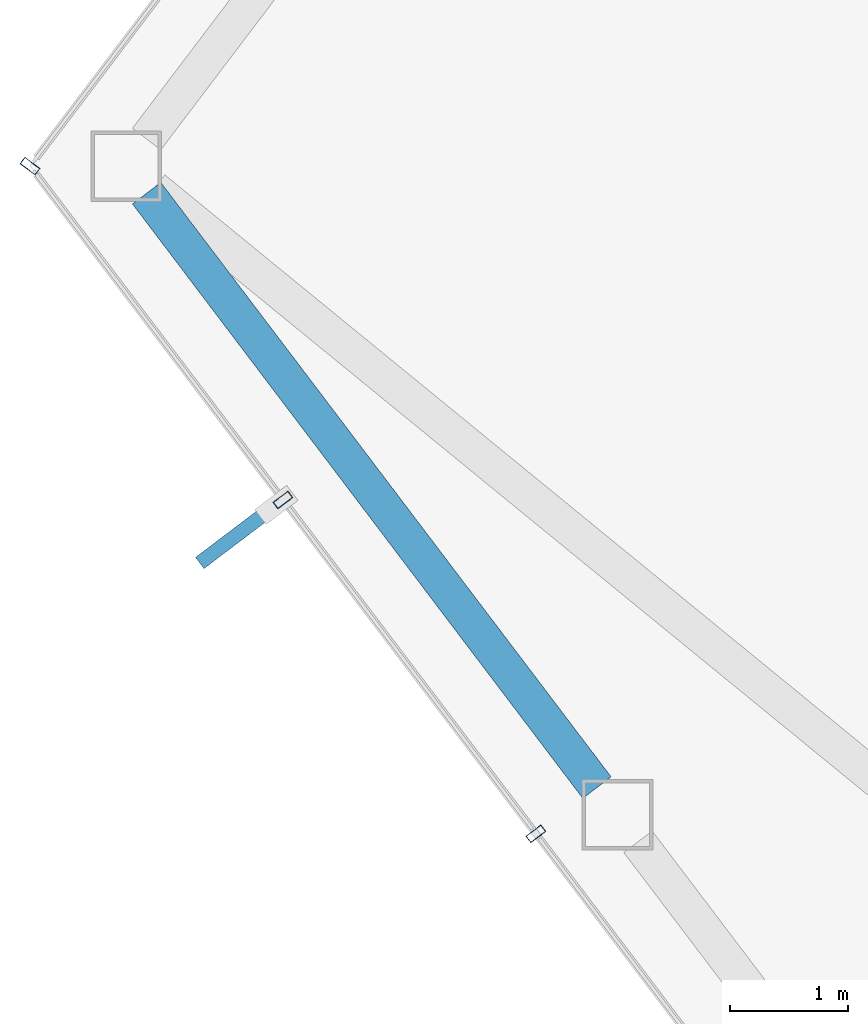
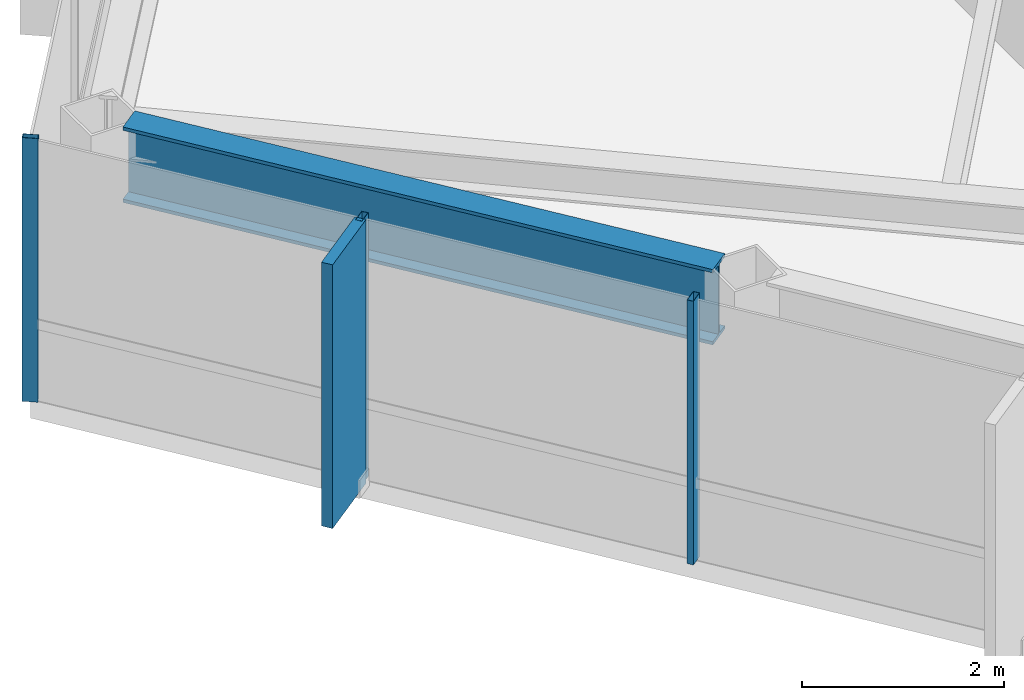
# One storey, part 10 of 28: 4 members, 1 beam, 2 elements without a shape of their own.
"""IFC4 building model written with IfcOpenShell, lengths in metres."""

from ifc_helpers import new_model, si_unit, direction, frame, origin, origin_2d, place, context, subcontext, project, spatial, rectangle, hollow_rectangle, i_section, extrude, material, layer, layer_set, material_profile, profile_set, type_object, element, aggregate, save


model = new_model("IFC4")

# Units and contexts
model_context = context("Model", 3, precision=1e-05, world=origin(), true_north=direction((0.0, 1.0)))
body_context = subcontext(model_context, "Body", "Model", "MODEL_VIEW")
ifc_project = project(units=[si_unit("LENGTHUNIT", "METRE"), si_unit("AREAUNIT", "SQUARE_METRE"), si_unit("VOLUMEUNIT", "CUBIC_METRE"), si_unit("PLANEANGLEUNIT", "RADIAN"), si_unit("MASSUNIT", "GRAM", prefix="KILO")], contexts=[model_context])

# Site, building, storey
site_placement = place(None, origin())
site = spatial("IfcSite", under=ifc_project, at=site_placement, CompositionType="ELEMENT")
building_placement = place(site_placement, origin())
building = spatial("IfcBuilding", under=site, at=building_placement, Name="Zarrinselat Tower", CompositionType="ELEMENT")
storey_placement = place(building_placement, frame((0.0, 0.0, 222.360107421875)))
storey = spatial("IfcBuildingStorey", under=building, at=storey_placement, Name="L55", CompositionType="ELEMENT", Elevation=222.360107421875)

# Beam
ifc_material_1 = material(Name="Steel S460M", Category="steel")
ifc_material_profile_1 = material_profile(ifc_material_1, i_section(OverallWidth=0.302001953125, OverallDepth=0.909912109375, WebThickness=0.02099609375, FlangeThickness=0.0400390625, at=origin_2d()), Name="HEM 900")
ifc_profile_set_1 = profile_set([ifc_material_profile_1], Name="Steel S460M")
beam_type = type_object("IfcBeamType", Name="BM-HEM900", PredefinedType="BEAM", material=ifc_profile_set_1)
beam_placement = place(storey_placement, frame((16.115966796875, 40.54248046875, 2.724853515625), z_axis=(0.603852486481, -0.797096088668, 0.0), x_axis=(0.797096088668, 0.603852486481, 0.0)))
element("IfcBeam", 1, at=beam_placement, inside=storey, type_object=beam_type, Name="L55 Perimeter Spandrel Girder SP06", PredefinedType="BEAM", context=body_context, shape_type="SweptSolid", body=[
    extrude(i_section(OverallWidth=0.302001953125, OverallDepth=0.909912109375, WebThickness=0.02099609375, FlangeThickness=0.0400390625, at=origin_2d()), origin(), (0.0, 0.0, 1.0), 6.32568359375),
])

# Curtain wall, member
ifc_material_2 = material(Name="Extruded Aluminium Alloy EN AW-6063 T6", Category="aluminium")
ifc_layer = layer(ifc_material_2, 0.169921875)
ifc_layer_set = layer_set([ifc_layer], Name="Extruded Aluminium Alloy EN AW-6063 T6")
curtain_wall_type = type_object("IfcCurtainWallType", Name="CWS-RES", PredefinedType="NOTDEFINED", material=ifc_layer_set)
curtain_wall_1_placement = place(storey_placement, origin())
curtain_wall_1 = element("IfcCurtainWall", 2, at=curtain_wall_1_placement, inside=storey, type_object=curtain_wall_type, Name="L55 Unitised Curtain Wall CW-L55-E02", PredefinedType="NOTDEFINED")
ifc_material_3 = material(Name="Extruded Aluminium Alloy EN AW-6063 T6", Category="aluminium")
ifc_material_profile_2 = material_profile(ifc_material_3, hollow_rectangle(XDim=0.070068359375, YDim=0.159912109375, WallThickness=0.00390625, at=origin_2d()), Name="RHS 160x70x4")
ifc_profile_set_2 = profile_set([ifc_material_profile_2], Name="Extruded Aluminium Alloy EN AW-6063 T6")
member_type_1 = type_object("IfcMemberType", Name="MEM-CW-MUL2", PredefinedType="MULLION", material=ifc_profile_set_2)
member_1_placement = place(storey_placement, frame((15.126708984375, 40.77197265625, 0.0), z_axis=(0.0, 0.0, 1.0), x_axis=(-0.603865236347, -0.79708642965, 0.0)))
member_1 = element("IfcMember", 3, at=member_1_placement, type_object=member_type_1, Name="CW-L55-E02 Mullion 3", PredefinedType="MULLION", context=body_context, shape_type="SweptSolid", body=[
    extrude(hollow_rectangle(XDim=0.070068359375, YDim=0.159912109375, WallThickness=0.00390625, at=origin_2d()), origin(), (0.0, 0.0, 1.0), 3.179931640625),
])
aggregate(curtain_wall_1, [member_1])

# Curtain wall, members
curtain_wall_2_placement = place(storey_placement, origin())
curtain_wall_2 = element("IfcCurtainWall", 4, at=curtain_wall_2_placement, inside=storey, type_object=curtain_wall_type, Name="L55 Unitised Curtain Wall CW-L55-E03", PredefinedType="NOTDEFINED")
member_2_placement = place(storey_placement, frame((17.27197265625, 37.940185546875, 0.0), z_axis=(0.0, 0.0, 1.0), x_axis=(0.603859787908, -0.797090557307, 0.0)))
member_2 = element("IfcMember", 5, at=member_2_placement, type_object=member_type_1, Name="CW-L55-E03 Mullion 1", PredefinedType="MULLION", context=body_context, shape_type="SweptSolid", body=[
    extrude(hollow_rectangle(XDim=0.070068359375, YDim=0.159912109375, WallThickness=0.00390625, at=origin_2d()), origin(), (0.0, 0.0, 1.0), 3.179931640625),
])
member_3_placement = place(storey_placement, frame((19.41748046875, 35.108154296875, 0.0), z_axis=(0.0, 0.0, 1.0), x_axis=(0.603859787908, -0.797090557307, 0.0)))
member_3 = element("IfcMember", 6, at=member_3_placement, type_object=member_type_1, Name="CW-L55-E03 Mullion 2", PredefinedType="MULLION", context=body_context, shape_type="SweptSolid", body=[
    extrude(hollow_rectangle(XDim=0.070068359375, YDim=0.159912109375, WallThickness=0.00390625, at=origin_2d()), origin(), (0.0, 0.0, 1.0), 3.179931640625),
])
ifc_material_4 = material(Name="Honed Cream Travertine Stone", Category="masonry")
ifc_material_profile_3 = material_profile(ifc_material_4, rectangle(XDim=0.1201171875, YDim=0.85009765625, at=origin_2d()), Name="FIN 850x120")
ifc_profile_set_3 = profile_set([ifc_material_profile_3], Name="Honed Cream Travertine Stone")
member_type_2 = type_object("IfcMemberType", Name="MEM-STONE-FIN", PredefinedType="USERDEFINED", material=ifc_profile_set_3)
member_4_placement = place(storey_placement, frame((16.9052734375, 37.662353515625, 0.0), z_axis=(0.0, 0.0, 1.0), x_axis=(-0.603859787908, 0.797090557307, 0.0)))
member_4 = element("IfcMember", 7, at=member_4_placement, type_object=member_type_2, Name="L55 Stone Shading Fin CW-L55-E03-01", ObjectType="FIN", PredefinedType="USERDEFINED", context=body_context, shape_type="SweptSolid", body=[
    extrude(rectangle(XDim=0.1201171875, YDim=0.85009765625, at=origin_2d()), origin(), (0.0, 0.0, 1.0), 3.179931640625),
])
aggregate(curtain_wall_2, [member_2, member_4, member_3])

save(model, "model.ifc")
